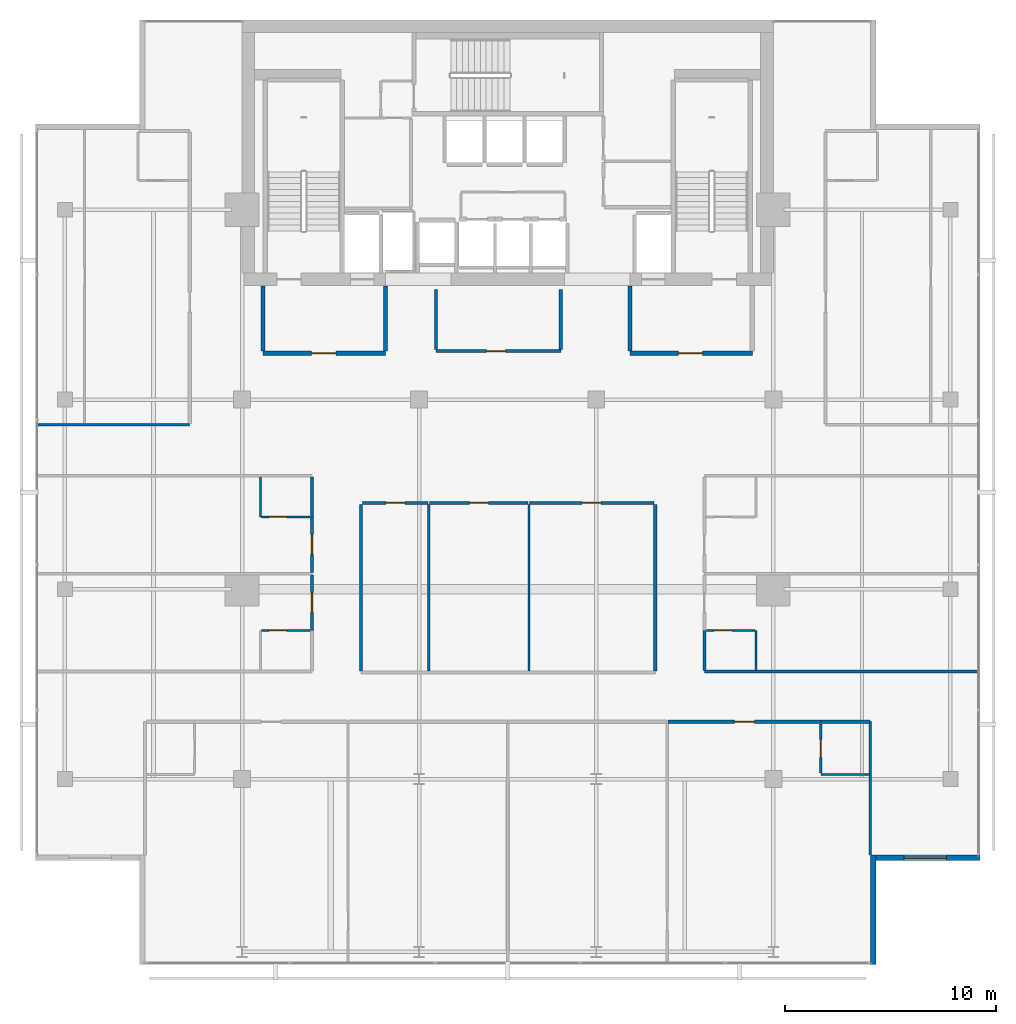
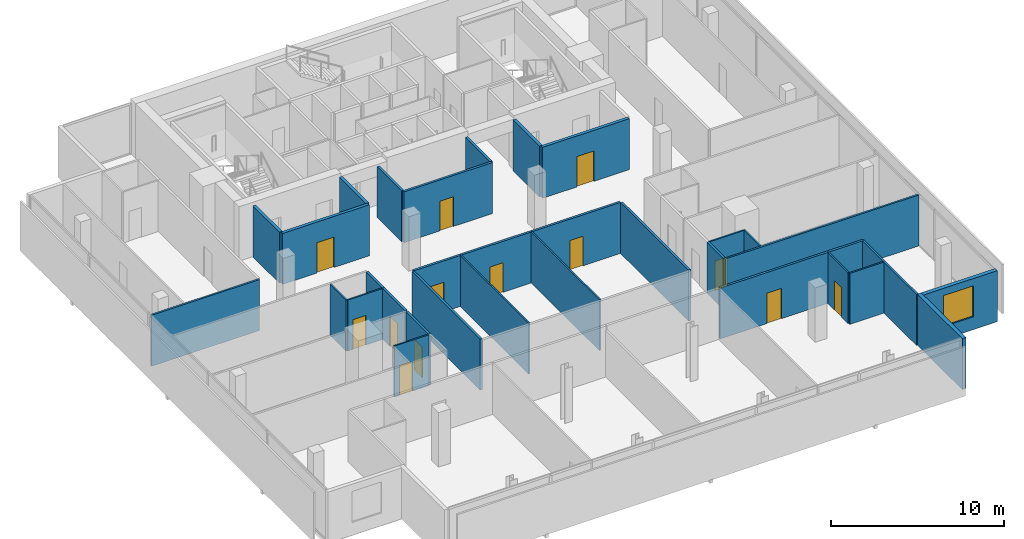
# One storey, part 20 of 25: 33 walls, 13 doors, 1 window, 14 openings.
"""IFC4 building model written with IfcOpenShell, lengths in metres."""

from ifc_helpers import new_model, si_unit, direction, frame, frame_2d, origin, place, context, subcontext, project, spatial, rectangle, extrude, material, layer, layer_set, type_object, element, fill, save


model = new_model("IFC4")

# Units and contexts
model_context = context("Model", 3, precision=1e-05, world=origin(), true_north=direction((0.0, 1.0)))
body_context = subcontext(model_context, "Body", "Model", "MODEL_VIEW")
ifc_project = project(units=[si_unit("LENGTHUNIT", "METRE"), si_unit("AREAUNIT", "SQUARE_METRE"), si_unit("VOLUMEUNIT", "CUBIC_METRE"), si_unit("PLANEANGLEUNIT", "RADIAN"), si_unit("MASSUNIT", "GRAM", prefix="KILO")], contexts=[model_context])

# Site, building, storey
site_placement = place(None, origin())
site = spatial("IfcSite", under=ifc_project, at=site_placement, CompositionType="ELEMENT")
building_placement = place(site_placement, origin())
building = spatial("IfcBuilding", under=site, at=building_placement, Name="Maruvema Waterfront Hotel and Observation Tower", CompositionType="ELEMENT")
storey_placement = place(building_placement, frame((0.0, 0.0, 281.75)))
storey = spatial("IfcBuildingStorey", under=building, at=storey_placement, Name="L69", CompositionType="ELEMENT", Elevation=281.75)

# Wall, opening, door
ifc_material_1 = material(Name="Twin-stud acoustic gypsum drywall", Category="gypsum")
ifc_layer_1 = layer(ifc_material_1, 0.14990234375, Name="Acoustic Corridor and Suite Demising Wall 150 mm")
ifc_layer_set_1 = layer_set([ifc_layer_1], Name="Twin-stud acoustic gypsum drywall")
wall_type_1 = type_object("IfcWallType", Name="Acoustic Corridor and Suite Demising Wall 150 mm", PredefinedType="PARTITIONING", material=ifc_layer_set_1)
wall_1_placement = place(storey_placement, frame((34.39990234375, 38.300048828125, 0.0), z_axis=(0.0, 0.0, 1.0), x_axis=(1.0, 0.0, 0.0)))
wall_1 = element("IfcWall", 1, at=wall_1_placement, inside=storey, type_object=wall_type_1, Name="L69 Core Apron K0 South 022", PredefinedType="PARTITIONING", context=body_context, shape_type="SweptSolid", body=[
    extrude(rectangle(XDim=5.920166015625, YDim=0.14990234375, at=frame_2d((2.9599609375, 0.0))), origin(), (0.0, 0.0, 1.0), 3.610107421875),
])
opening_1_placement = place(wall_1_placement, frame((2.39990234375, 0.0, 0.0)))
opening_1 = element("IfcOpeningElement", 2, at=opening_1_placement, cuts=wall_1, Name="Opening DR-090", PredefinedType="OPENING", context=body_context, shape_type="SweptSolid", body=[
    extrude(rectangle(XDim=0.89990234375, YDim=2.10009765625, at=frame_2d((0.449951171875, 1.050048828125))), frame((0.0, 0.0849609375, 0.0), z_axis=(0.0, -1.0, 0.0), x_axis=(1.0, 0.0, 0.0)), (0.0, 0.0, 1.0), 0.169921875),
])
ifc_material_2 = material(Name="Solid-core lacquered timber leaf", Category="wood")
door_type_1 = type_object("IfcDoorType", Name="Accessible Toilet and Room Door 900x2100 mm", OperationType="NOTDEFINED", PredefinedType="DOOR", material=ifc_material_2)
door_1_placement = place(opening_1_placement, frame((0.89990234375, 0.0, 0.0), z_axis=(0.0, 0.0, 1.0), x_axis=(-1.0, 0.0, 0.0)))
door_1 = element("IfcDoor", 3, at=door_1_placement, inside=storey, type_object=door_type_1, Name="L69 Core Valet Room Door", OperationType="SINGLE_SWING_RIGHT", OverallHeight=2.10009765625, OverallWidth=0.89990234375, PredefinedType="DOOR", context=body_context, shape_type="SweptSolid", body=[
    extrude(rectangle(XDim=0.89990234375, YDim=2.10009765625, at=frame_2d((0.449951171875, 1.050048828125))), frame((0.0, 0.02490234375, 0.0), z_axis=(0.0, -1.0, 0.0), x_axis=(1.0, 0.0, 0.0)), (0.0, 0.0, 1.0), 0.050048828125),
])
fill(opening_1, door_1)

# Walls
for number, where, z_axis, x_axis, name in (
    (4, (34.39990234375, 38.3798828125, 0.0), (0.0, 0.0, 1.0), (0.0, 1.0, 0.0), "L69 Core Apron K0 West 023"),
    (5, (40.320068359375, 38.3798828125, 0.0), (0.0, 0.0, 1.0), (0.0, 1.0, 0.0), "L69 Core Apron K0 East 024"),
):
    element("IfcWall", number, at=place(storey_placement, frame(where, z_axis=z_axis, x_axis=x_axis)), inside=storey, type_object=wall_type_1, Name=name, PredefinedType="PARTITIONING", context=body_context, shape_type="SweptSolid", body=[
        extrude(rectangle(XDim=2.840087890625, YDim=0.14990234375, at=frame_2d((1.419921875, 0.0))), origin(), (0.0, 0.0, 1.0), 3.610107421875),
    ])
for number, where, z_axis, x_axis, name in (
    (6, (30.85009765625, 23.1298828125, 0.0), (0.0, 0.0, 1.0), (0.0, 1.0, 0.0), "L69 L69-Z3M West Wall 026"),
    (7, (44.800048828125, 23.1298828125, 0.0), (0.0, 0.0, 1.0), (0.0, 1.0, 0.0), "L69 L69-Z3M East Wall 027"),
):
    element("IfcWall", number, at=place(storey_placement, frame(where, z_axis=z_axis, x_axis=x_axis)), inside=storey, type_object=wall_type_1, Name=name, PredefinedType="PARTITIONING", context=body_context, shape_type="SweptSolid", body=[
        extrude(rectangle(XDim=7.89013671875, YDim=0.14990234375, at=frame_2d((3.945068359375, 0.0))), origin(), (0.0, 0.0, 1.0), 3.610107421875),
    ])

# Wall, opening, door
wall_2_placement = place(storey_placement, frame((30.909912109375, 31.10009765625, 0.0), z_axis=(0.0, 0.0, 1.0), x_axis=(1.0, 0.0, 0.0)))
wall_2 = element("IfcWall", 8, at=wall_2_placement, inside=storey, type_object=wall_type_1, Name="L69 L69-Z3M Front 1 028", PredefinedType="PARTITIONING", context=body_context, shape_type="SweptSolid", body=[
    extrude(rectangle(XDim=3.11865234375, YDim=0.14990234375, at=frame_2d((1.559326171875, 0.0))), origin(), (0.0, 0.0, 1.0), 3.610107421875),
])
opening_2_placement = place(wall_2_placement, frame((1.109375, 0.0, 0.0)))
opening_2 = element("IfcOpeningElement", 9, at=opening_2_placement, cuts=wall_2, Name="Opening DR-090", PredefinedType="OPENING", context=body_context, shape_type="SweptSolid", body=[
    extrude(rectangle(XDim=0.89990234375, YDim=2.10009765625, at=frame_2d((0.449951171875, 1.050048828125))), frame((0.0, 0.0849609375, 0.0), z_axis=(0.0, -1.0, 0.0), x_axis=(1.0, 0.0, 0.0)), (0.0, 0.0, 1.0), 0.169921875),
])
door_2_placement = place(opening_2_placement, origin())
door_2 = element("IfcDoor", 10, at=door_2_placement, inside=storey, type_object=door_type_1, Name="L69 Private Chef Kitchen 1 Door", OperationType="SINGLE_SWING_LEFT", OverallHeight=2.10009765625, OverallWidth=0.89990234375, PredefinedType="DOOR", context=body_context, shape_type="SweptSolid", body=[
    extrude(rectangle(XDim=0.89990234375, YDim=2.10009765625, at=frame_2d((0.449951171875, 1.050048828125))), frame((0.0, 0.02490234375, 0.0), z_axis=(0.0, -1.0, 0.0), x_axis=(1.0, 0.0, 0.0)), (0.0, 0.0, 1.0), 0.050048828125),
])
fill(opening_2, door_2)

wall_3_placement = place(storey_placement, frame((34.08837890625, 31.10009765625, 0.0), z_axis=(0.0, 0.0, 1.0), x_axis=(1.0, 0.0, 0.0)))
wall_3 = element("IfcWall", 11, at=wall_3_placement, inside=storey, type_object=wall_type_1, Name="L69 L69-Z3M Front 2 030", PredefinedType="PARTITIONING", context=body_context, shape_type="SweptSolid", body=[
    extrude(rectangle(XDim=4.68310546875, YDim=0.14990234375, at=frame_2d((2.341552734375, 0.0))), origin(), (0.0, 0.0, 1.0), 3.610107421875),
])
opening_3_placement = place(wall_3_placement, frame((1.8916015625, 0.0, 0.0)))
opening_3 = element("IfcOpeningElement", 12, at=opening_3_placement, cuts=wall_3, Name="Opening DR-090", PredefinedType="OPENING", context=body_context, shape_type="SweptSolid", body=[
    extrude(rectangle(XDim=0.89990234375, YDim=2.10009765625, at=frame_2d((0.449951171875, 1.050048828125))), frame((0.0, 0.0849609375, 0.0), z_axis=(0.0, -1.0, 0.0), x_axis=(1.0, 0.0, 0.0)), (0.0, 0.0, 1.0), 0.169921875),
])
door_3_placement = place(opening_3_placement, origin())
door_3 = element("IfcDoor", 13, at=door_3_placement, inside=storey, type_object=door_type_1, Name="L69 Private Chef Kitchen 2 Door", OperationType="SINGLE_SWING_RIGHT", OverallHeight=2.10009765625, OverallWidth=0.89990234375, PredefinedType="DOOR", context=body_context, shape_type="SweptSolid", body=[
    extrude(rectangle(XDim=0.89990234375, YDim=2.10009765625, at=frame_2d((0.449951171875, 1.050048828125))), frame((0.0, 0.02490234375, 0.0), z_axis=(0.0, -1.0, 0.0), x_axis=(1.0, 0.0, 0.0)), (0.0, 0.0, 1.0), 0.050048828125),
])
fill(opening_3, door_3)

wall_4_placement = place(storey_placement, frame((38.83154296875, 31.10009765625, 0.0), z_axis=(0.0, 0.0, 1.0), x_axis=(1.0, 0.0, 0.0)))
wall_4 = element("IfcWall", 14, at=wall_4_placement, inside=storey, type_object=wall_type_1, Name="L69 L69-Z3M Front 3 032", PredefinedType="PARTITIONING", context=body_context, shape_type="SweptSolid", body=[
    extrude(rectangle(XDim=5.908447265625, YDim=0.14990234375, at=frame_2d((2.9541015625, 0.0))), origin(), (0.0, 0.0, 1.0), 3.610107421875),
])
opening_4_placement = place(wall_4_placement, frame((2.50439453125, 0.0, 0.0)))
opening_4 = element("IfcOpeningElement", 15, at=opening_4_placement, cuts=wall_4, Name="Opening DR-090", PredefinedType="OPENING", context=body_context, shape_type="SweptSolid", body=[
    extrude(rectangle(XDim=0.89990234375, YDim=2.10009765625, at=frame_2d((0.449951171875, 1.050048828125))), frame((0.0, 0.0849609375, 0.0), z_axis=(0.0, -1.0, 0.0), x_axis=(1.0, 0.0, 0.0)), (0.0, 0.0, 1.0), 0.169921875),
])
door_4_placement = place(opening_4_placement, origin())
door_4 = element("IfcDoor", 16, at=door_4_placement, inside=storey, type_object=door_type_1, Name="L69 Private Chef Kitchen 3 Door", OperationType="SINGLE_SWING_LEFT", OverallHeight=2.10009765625, OverallWidth=0.89990234375, PredefinedType="DOOR", context=body_context, shape_type="SweptSolid", body=[
    extrude(rectangle(XDim=0.89990234375, YDim=2.10009765625, at=frame_2d((0.449951171875, 1.050048828125))), frame((0.0, 0.02490234375, 0.0), z_axis=(0.0, -1.0, 0.0), x_axis=(1.0, 0.0, 0.0)), (0.0, 0.0, 1.0), 0.050048828125),
])
fill(opening_4, door_4)

# Wall
wall_5_placement = place(storey_placement, frame((52.64990234375, 20.719970703125, 0.0), z_axis=(0.0, 0.0, 1.0), x_axis=(1.0, 0.0, 0.0)))
element("IfcWall", 17, at=wall_5_placement, inside=storey, type_object=wall_type_1, Name="L69 Bath L69-S2 Back Wall 042", PredefinedType="PARTITIONING", context=body_context, shape_type="SweptSolid", body=[
    extrude(rectangle(XDim=2.330078125, YDim=0.14990234375, at=frame_2d((1.1650390625, 0.0))), origin(), (0.0, 0.0, 1.0), 3.610107421875),
])

# Wall, opening, door
wall_6_placement = place(storey_placement, frame((45.407958984375, 20.719970703125, 0.0), z_axis=(0.0, 0.0, 1.0), x_axis=(1.0, 0.0, 0.0)))
wall_6 = element("IfcWall", 18, at=wall_6_placement, inside=storey, type_object=wall_type_1, Name="L69 Unit L69-S2 Corridor Wall 046", PredefinedType="PARTITIONING", context=body_context, shape_type="SweptSolid", body=[
    extrude(rectangle(XDim=7.241943359375, YDim=0.14990234375, at=frame_2d((3.62109375, 0.0))), origin(), (0.0, 0.0, 1.0), 3.610107421875),
])
opening_5_placement = place(wall_6_placement, frame((3.14599609375, 0.0, 0.0)))
opening_5 = element("IfcOpeningElement", 19, at=opening_5_placement, cuts=wall_6, Name="Opening DR-095", PredefinedType="OPENING", context=body_context, shape_type="SweptSolid", body=[
    extrude(rectangle(XDim=0.949951171875, YDim=2.14990234375, at=frame_2d((0.47509765625, 1.074951171875))), frame((0.0, 0.0849609375, 0.0), z_axis=(0.0, -1.0, 0.0), x_axis=(1.0, 0.0, 0.0)), (0.0, 0.0, 1.0), 0.169921875),
])
ifc_material_3 = material(Name="Acoustic solid-core hardwood timber leaf", Category="wood")
door_type_2 = type_object("IfcDoorType", Name="Guestroom Entrance Fire Door 950x2150 mm", OperationType="NOTDEFINED", PredefinedType="DOOR", material=ifc_material_3)
door_5_placement = place(opening_5_placement, frame((0.949951171875, 0.0, 0.0), z_axis=(0.0, 0.0, 1.0), x_axis=(-1.0, 0.0, 0.0)))
door_5 = element("IfcDoor", 20, at=door_5_placement, inside=storey, type_object=door_type_2, Name="L69 Unit L69-S2 Entrance Door", OperationType="SINGLE_SWING_RIGHT", OverallHeight=2.14990234375, OverallWidth=0.949951171875, PredefinedType="DOOR", context=body_context, shape_type="SweptSolid", body=[
    extrude(rectangle(XDim=0.949951171875, YDim=2.14990234375, at=frame_2d((0.47509765625, 1.074951171875))), frame((0.0, 0.02490234375, 0.0), z_axis=(0.0, -1.0, 0.0), x_axis=(1.0, 0.0, 0.0)), (0.0, 0.0, 1.0), 0.050048828125),
])
fill(opening_5, door_5)

wall_7_placement = place(storey_placement, frame((28.52001953125, 25.050048828125, 0.0), z_axis=(0.0, 0.0, 1.0), x_axis=(0.0, 1.0, 0.0)))
wall_7 = element("IfcWall", 21, at=wall_7_placement, inside=storey, type_object=wall_type_1, Name="L69 Room L69-W1 Corridor Wall 053", PredefinedType="PARTITIONING", context=body_context, shape_type="SweptSolid", body=[
    extrude(rectangle(XDim=2.6298828125, YDim=0.14990234375, at=frame_2d((1.31494140625, 0.0))), origin(), (0.0, 0.0, 1.0), 3.610107421875),
])
opening_6_placement = place(wall_7_placement, frame((0.840087890625, 0.0, 0.0)))
opening_6 = element("IfcOpeningElement", 22, at=opening_6_placement, cuts=wall_7, Name="Opening DR-095", PredefinedType="OPENING", context=body_context, shape_type="SweptSolid", body=[
    extrude(rectangle(XDim=0.949951171875, YDim=2.14990234375, at=frame_2d((0.47509765625, 1.074951171875))), frame((0.0, 0.0849609375, 0.0), z_axis=(0.0, -1.0, 0.0), x_axis=(1.0, 0.0, 0.0)), (0.0, 0.0, 1.0), 0.169921875),
])
door_6_placement = place(opening_6_placement, origin())
door_6 = element("IfcDoor", 23, at=door_6_placement, inside=storey, type_object=door_type_2, Name="L69 Room L69-W1 Entrance Door", OperationType="SINGLE_SWING_LEFT", OverallHeight=2.14990234375, OverallWidth=0.949951171875, PredefinedType="DOOR", context=body_context, shape_type="SweptSolid", body=[
    extrude(rectangle(XDim=0.949951171875, YDim=2.14990234375, at=frame_2d((0.47509765625, 1.074951171875))), frame((0.0, 0.02490234375, 0.0), z_axis=(0.0, -1.0, 0.0), x_axis=(1.0, 0.0, 0.0)), (0.0, 0.0, 1.0), 0.050048828125),
])
fill(opening_6, door_6)

# Wall
wall_8_placement = place(storey_placement, frame((47.1298828125, 23.159912109375, 0.0), z_axis=(0.0, 0.0, 1.0), x_axis=(0.0, 1.0, 0.0)))
element("IfcWall", 24, at=wall_8_placement, inside=storey, type_object=wall_type_1, Name="L69 Bath L69-E1 Wall 056", PredefinedType="PARTITIONING", context=body_context, shape_type="SweptSolid", body=[
    extrude(rectangle(XDim=1.89013671875, YDim=0.14990234375, at=frame_2d((0.945068359375, 0.0))), origin(), (0.0, 0.0, 1.0), 3.610107421875),
])

# Wall, opening, door
wall_9_placement = place(storey_placement, frame((28.52001953125, 27.800048828125, 0.0), z_axis=(0.0, 0.0, 1.0), x_axis=(0.0, 1.0, 0.0)))
wall_9 = element("IfcWall", 25, at=wall_9_placement, inside=storey, type_object=wall_type_1, Name="L69 Room L69-W2 Corridor Wall 062", PredefinedType="PARTITIONING", context=body_context, shape_type="SweptSolid", body=[
    extrude(rectangle(XDim=2.6298828125, YDim=0.14990234375, at=frame_2d((1.31494140625, 0.0))), origin(), (0.0, 0.0, 1.0), 3.610107421875),
])
opening_7_placement = place(wall_9_placement, frame((0.840087890625, 0.0, 0.0)))
opening_7 = element("IfcOpeningElement", 26, at=opening_7_placement, cuts=wall_9, Name="Opening DR-095", PredefinedType="OPENING", context=body_context, shape_type="SweptSolid", body=[
    extrude(rectangle(XDim=0.949951171875, YDim=2.14990234375, at=frame_2d((0.47509765625, 1.074951171875))), frame((0.0, 0.0849609375, 0.0), z_axis=(0.0, -1.0, 0.0), x_axis=(1.0, 0.0, 0.0)), (0.0, 0.0, 1.0), 0.169921875),
])
door_7_placement = place(opening_7_placement, origin())
door_7 = element("IfcDoor", 27, at=door_7_placement, inside=storey, type_object=door_type_2, Name="L69 Room L69-W2 Entrance Door", OperationType="SINGLE_SWING_LEFT", OverallHeight=2.14990234375, OverallWidth=0.949951171875, PredefinedType="DOOR", context=body_context, shape_type="SweptSolid", body=[
    extrude(rectangle(XDim=0.949951171875, YDim=2.14990234375, at=frame_2d((0.47509765625, 1.074951171875))), frame((0.0, 0.02490234375, 0.0), z_axis=(0.0, -1.0, 0.0), x_axis=(1.0, 0.0, 0.0)), (0.0, 0.0, 1.0), 0.050048828125),
])
fill(opening_7, door_7)

# Walls
wall_10_placement = place(storey_placement, frame((28.52001953125, 30.429931640625, 0.0), z_axis=(0.0, 0.0, 1.0), x_axis=(0.0, 1.0, 0.0)))
element("IfcWall", 28, at=wall_10_placement, inside=storey, type_object=wall_type_1, Name="L69 Bath L69-W2 Wall 063", PredefinedType="PARTITIONING", context=body_context, shape_type="SweptSolid", body=[
    extrude(rectangle(XDim=1.89013671875, YDim=0.14990234375, at=frame_2d((0.945068359375, 0.0))), origin(), (0.0, 0.0, 1.0), 3.610107421875),
])
ifc_material_4 = material(Name="Moisture-resistant cement-board drywall", Category="gypsum")
ifc_layer_2 = layer(ifc_material_4, 0.10009765625, Name="En-Suite Moisture-Resistant Partition 100 mm")
ifc_layer_set_2 = layer_set([ifc_layer_2], Name="Moisture-resistant cement-board drywall")
wall_type_2 = type_object("IfcWallType", Name="En-Suite Moisture-Resistant Partition 100 mm", PredefinedType="PARTITIONING", material=ifc_layer_set_2)
for number, where, z_axis, x_axis, name in (
    (29, (34.05859375, 23.1298828125, 0.0), (0.0, 0.0, 1.0), (0.0, 1.0, 0.0), "L69 L69-Z3M Split 1 029"),
    (30, (38.801513671875, 23.1298828125, 0.0), (0.0, 0.0, 1.0), (0.0, 1.0, 0.0), "L69 L69-Z3M Split 2 031"),
):
    element("IfcWall", number, at=place(storey_placement, frame(where, z_axis=z_axis, x_axis=x_axis)), inside=storey, type_object=wall_type_2, Name=name, PredefinedType="PARTITIONING", context=body_context, shape_type="SweptSolid", body=[
        extrude(rectangle(XDim=7.89013671875, YDim=0.10009765625, at=frame_2d((3.945068359375, 0.0))), origin(), (0.0, 0.0, 1.0), 3.610107421875),
    ])
wall_11_placement = place(storey_placement, frame((52.64990234375, 18.219970703125, 0.0), z_axis=(0.0, 0.0, 1.0), x_axis=(1.0, 0.0, 0.0)))
element("IfcWall", 31, at=wall_11_placement, inside=storey, type_object=wall_type_2, Name="L69 En-Suite L69-S2 South 043", PredefinedType="PARTITIONING", context=body_context, shape_type="SweptSolid", body=[
    extrude(rectangle(XDim=2.31005859375, YDim=0.10009765625, at=frame_2d((1.155029296875, 0.0))), origin(), (0.0, 0.0, 1.0), 3.610107421875),
])

# Wall, opening, door
wall_12_placement = place(storey_placement, frame((52.64990234375, 18.280029296875, 0.0), z_axis=(0.0, 0.0, 1.0), x_axis=(0.0, 1.0, 0.0)))
wall_12 = element("IfcWall", 32, at=wall_12_placement, inside=storey, type_object=wall_type_2, Name="L69 En-Suite L69-S2 West 044", PredefinedType="PARTITIONING", context=body_context, shape_type="SweptSolid", body=[
    extrude(rectangle(XDim=2.340087890625, YDim=0.10009765625, at=frame_2d((1.169921875, 0.0))), origin(), (0.0, 0.0, 1.0), 3.610107421875),
])
opening_8_placement = place(wall_12_placement, frame((0.7451171875, 0.0, 0.0)))
opening_8 = element("IfcOpeningElement", 33, at=opening_8_placement, cuts=wall_12, Name="Opening DR-085", PredefinedType="OPENING", context=body_context, shape_type="SweptSolid", body=[
    extrude(rectangle(XDim=0.85009765625, YDim=2.10009765625, at=frame_2d((0.425048828125, 1.050048828125))), frame((0.0, 0.06005859375, 0.0), z_axis=(0.0, -1.0, 0.0), x_axis=(1.0, 0.0, 0.0)), (0.0, 0.0, 1.0), 0.1201171875),
])
ifc_material_5 = material(Name="Moisture-resistant solid timber leaf", Category="wood")
door_type_3 = type_object("IfcDoorType", Name="En-Suite Bathroom Door 850x2100 mm", OperationType="NOTDEFINED", PredefinedType="DOOR", material=ifc_material_5)
door_8_placement = place(opening_8_placement, origin())
door_8 = element("IfcDoor", 34, at=door_8_placement, inside=storey, type_object=door_type_3, Name="L69 En-Suite L69-S2 Door", OperationType="SINGLE_SWING_LEFT", OverallHeight=2.10009765625, OverallWidth=0.85009765625, PredefinedType="DOOR", context=body_context, shape_type="SweptSolid", body=[
    extrude(rectangle(XDim=0.85009765625, YDim=2.10009765625, at=frame_2d((0.425048828125, 1.050048828125))), frame((0.0, 0.02490234375, 0.0), z_axis=(0.0, -1.0, 0.0), x_axis=(1.0, 0.0, 0.0)), (0.0, 0.0, 1.0), 0.050048828125),
])
fill(opening_8, door_8)

wall_13_placement = place(storey_placement, frame((26.1201171875, 25.050048828125, 0.0), z_axis=(0.0, 0.0, 1.0), x_axis=(1.0, 0.0, 0.0)))
wall_13 = element("IfcWall", 35, at=wall_13_placement, inside=storey, type_object=wall_type_2, Name="L69 En-Suite L69-W1 N 055", PredefinedType="PARTITIONING", context=body_context, shape_type="SweptSolid", body=[
    extrude(rectangle(XDim=2.2998046875, YDim=0.10009765625, at=frame_2d((1.14990234375, 0.0))), origin(), (0.0, 0.0, 1.0), 3.610107421875),
])
opening_9_placement = place(wall_13_placement, frame((0.35009765625, 0.0, 0.0)))
opening_9 = element("IfcOpeningElement", 36, at=opening_9_placement, cuts=wall_13, Name="Opening DR-085", PredefinedType="OPENING", context=body_context, shape_type="SweptSolid", body=[
    extrude(rectangle(XDim=0.85009765625, YDim=2.10009765625, at=frame_2d((0.425048828125, 1.050048828125))), frame((0.0, 0.06005859375, 0.0), z_axis=(0.0, -1.0, 0.0), x_axis=(1.0, 0.0, 0.0)), (0.0, 0.0, 1.0), 0.1201171875),
])
door_9_placement = place(opening_9_placement, origin())
door_9 = element("IfcDoor", 37, at=door_9_placement, inside=storey, type_object=door_type_3, Name="L69 En-Suite L69-W1 Door", OperationType="SINGLE_SWING_RIGHT", OverallHeight=2.10009765625, OverallWidth=0.85009765625, PredefinedType="DOOR", context=body_context, shape_type="SweptSolid", body=[
    extrude(rectangle(XDim=0.85009765625, YDim=2.10009765625, at=frame_2d((0.425048828125, 1.050048828125))), frame((0.0, 0.02490234375, 0.0), z_axis=(0.0, -1.0, 0.0), x_axis=(1.0, 0.0, 0.0)), (0.0, 0.0, 1.0), 0.050048828125),
])
fill(opening_9, door_9)

# Wall
wall_14_placement = place(storey_placement, frame((49.580078125, 23.159912109375, 0.0), z_axis=(0.0, 0.0, 1.0), x_axis=(0.0, 1.0, 0.0)))
element("IfcWall", 38, at=wall_14_placement, inside=storey, type_object=wall_type_2, Name="L69 En-Suite L69-E1 E 058", PredefinedType="PARTITIONING", context=body_context, shape_type="SweptSolid", body=[
    extrude(rectangle(XDim=1.89013671875, YDim=0.10009765625, at=frame_2d((0.945068359375, 0.0))), origin(), (0.0, 0.0, 1.0), 3.610107421875),
])

# Wall, opening, door
wall_15_placement = place(storey_placement, frame((47.22998046875, 25.050048828125, 0.0), z_axis=(0.0, 0.0, 1.0), x_axis=(1.0, 0.0, 0.0)))
wall_15 = element("IfcWall", 39, at=wall_15_placement, inside=storey, type_object=wall_type_2, Name="L69 En-Suite L69-E1 N 059", PredefinedType="PARTITIONING", context=body_context, shape_type="SweptSolid", body=[
    extrude(rectangle(XDim=2.300048828125, YDim=0.10009765625, at=frame_2d((1.14990234375, 0.0))), origin(), (0.0, 0.0, 1.0), 3.610107421875),
])
opening_10_placement = place(wall_15_placement, frame((0.35009765625, 0.0, 0.0)))
opening_10 = element("IfcOpeningElement", 40, at=opening_10_placement, cuts=wall_15, Name="Opening DR-085", PredefinedType="OPENING", context=body_context, shape_type="SweptSolid", body=[
    extrude(rectangle(XDim=0.85009765625, YDim=2.10009765625, at=frame_2d((0.425048828125, 1.050048828125))), frame((0.0, 0.06005859375, 0.0), z_axis=(0.0, -1.0, 0.0), x_axis=(1.0, 0.0, 0.0)), (0.0, 0.0, 1.0), 0.1201171875),
])
door_10_placement = place(opening_10_placement, origin())
door_10 = element("IfcDoor", 41, at=door_10_placement, inside=storey, type_object=door_type_3, Name="L69 En-Suite L69-E1 Door", OperationType="SINGLE_SWING_RIGHT", OverallHeight=2.10009765625, OverallWidth=0.85009765625, PredefinedType="DOOR", context=body_context, shape_type="SweptSolid", body=[
    extrude(rectangle(XDim=0.85009765625, YDim=2.10009765625, at=frame_2d((0.425048828125, 1.050048828125))), frame((0.0, 0.02490234375, 0.0), z_axis=(0.0, -1.0, 0.0), x_axis=(1.0, 0.0, 0.0)), (0.0, 0.0, 1.0), 0.050048828125),
])
fill(opening_10, door_10)

# Wall
wall_16_placement = place(storey_placement, frame((26.070068359375, 30.429931640625, 0.0), z_axis=(0.0, 0.0, 1.0), x_axis=(0.0, 1.0, 0.0)))
element("IfcWall", 42, at=wall_16_placement, inside=storey, type_object=wall_type_2, Name="L69 En-Suite L69-W2 W 064", PredefinedType="PARTITIONING", context=body_context, shape_type="SweptSolid", body=[
    extrude(rectangle(XDim=1.89013671875, YDim=0.10009765625, at=frame_2d((0.945068359375, 0.0))), origin(), (0.0, 0.0, 1.0), 3.610107421875),
])

# Wall, opening, door
wall_17_placement = place(storey_placement, frame((26.1201171875, 30.429931640625, 0.0), z_axis=(0.0, 0.0, 1.0), x_axis=(1.0, 0.0, 0.0)))
wall_17 = element("IfcWall", 43, at=wall_17_placement, inside=storey, type_object=wall_type_2, Name="L69 En-Suite L69-W2 S 065", PredefinedType="PARTITIONING", context=body_context, shape_type="SweptSolid", body=[
    extrude(rectangle(XDim=2.2998046875, YDim=0.10009765625, at=frame_2d((1.14990234375, 0.0))), origin(), (0.0, 0.0, 1.0), 3.610107421875),
])
opening_11_placement = place(wall_17_placement, frame((0.35009765625, 0.0, 0.0)))
opening_11 = element("IfcOpeningElement", 44, at=opening_11_placement, cuts=wall_17, Name="Opening DR-085", PredefinedType="OPENING", context=body_context, shape_type="SweptSolid", body=[
    extrude(rectangle(XDim=0.85009765625, YDim=2.10009765625, at=frame_2d((0.425048828125, 1.050048828125))), frame((0.0, 0.06005859375, 0.0), z_axis=(0.0, -1.0, 0.0), x_axis=(1.0, 0.0, 0.0)), (0.0, 0.0, 1.0), 0.1201171875),
])
door_11_placement = place(opening_11_placement, frame((0.85009765625, 0.0, 0.0), z_axis=(0.0, 0.0, 1.0), x_axis=(-1.0, 0.0, 0.0)))
door_11 = element("IfcDoor", 45, at=door_11_placement, inside=storey, type_object=door_type_3, Name="L69 En-Suite L69-W2 Door", OperationType="SINGLE_SWING_RIGHT", OverallHeight=2.10009765625, OverallWidth=0.85009765625, PredefinedType="DOOR", context=body_context, shape_type="SweptSolid", body=[
    extrude(rectangle(XDim=0.85009765625, YDim=2.10009765625, at=frame_2d((0.425048828125, 1.050048828125))), frame((0.0, 0.02490234375, 0.0), z_axis=(0.0, -1.0, 0.0), x_axis=(1.0, 0.0, 0.0)), (0.0, 0.0, 1.0), 0.050048828125),
])
fill(opening_11, door_11)

# Wall
ifc_material_6 = material(Name="Precast concrete C45/55 with honed Pernambuco granite facing", Category="masonry")
ifc_layer_3 = layer(ifc_material_6, 0.260009765625, Name="Exterior Granite Clad Spandrel and Pier Wall 260 mm")
ifc_layer_set_3 = layer_set([ifc_layer_3], Name="Precast concrete C45/55 with honed Pernambuco granite facing")
wall_type_3 = type_object("IfcWallType", Name="Exterior Granite Clad Spandrel and Pier Wall 260 mm", PredefinedType="SOLIDWALL", material=ifc_layer_set_3)
wall_18_placement = place(storey_placement, frame((55.1298828125, 14.39990234375, 0.0), z_axis=(0.0, 0.0, 1.0), x_axis=(0.0, -1.0, 0.0)))
element("IfcWall", 46, at=wall_18_placement, inside=storey, type_object=wall_type_3, Name="L69 Corner Notch Granite Pier Wall SE1", PredefinedType="SOLIDWALL", context=body_context, shape_type="SweptSolid", body=[
    extrude(rectangle(XDim=5.199951171875, YDim=0.260009765625, at=frame_2d((2.60009765625, 0.0))), origin(), (0.0, 0.0, 1.0), 3.610107421875),
])

# Wall, opening, window
wall_19_placement = place(storey_placement, frame((60.199951171875, 14.27001953125, 0.0), z_axis=(0.0, 0.0, 1.0), x_axis=(-1.0, 0.0, 0.0)))
wall_19 = element("IfcWall", 47, at=wall_19_placement, inside=storey, type_object=wall_type_3, Name="L69 Corner Notch Granite Pier Wall SE2", PredefinedType="SOLIDWALL", context=body_context, shape_type="SweptSolid", body=[
    extrude(rectangle(XDim=5.199951171875, YDim=0.260009765625, at=frame_2d((2.60009765625, 0.0))), origin(), (0.0, 0.0, 1.0), 3.610107421875),
])
opening_12_placement = place(wall_19_placement, frame((1.60009765625, 0.0, 0.89990234375)))
opening_12 = element("IfcOpeningElement", 48, at=opening_12_placement, cuts=wall_19, Name="Opening WN-03", PredefinedType="OPENING", context=body_context, shape_type="SweptSolid", body=[
    extrude(rectangle(XDim=2.0, YDim=2.199951171875, at=frame_2d((1.0, 1.10009765625))), frame((0.0, 0.14013671875, 0.0), z_axis=(0.0, -1.0, 0.0), x_axis=(1.0, 0.0, 0.0)), (0.0, 0.0, 1.0), 0.280029296875),
])
ifc_material_7 = material(Name="Anodised bronze aluminium frame with laminated low-E glass", Category="aluminium")
window_type = type_object("IfcWindowType", Name="Sky Suite Panoramic Notch Window 2000x2200 mm", PartitioningType="SINGLE_PANEL", PredefinedType="WINDOW", material=ifc_material_7)
window_placement = place(opening_12_placement, origin())
window = element("IfcWindow", 49, at=window_placement, inside=storey, type_object=window_type, Name="L69 Corner Notch Punched Window SE2", OverallHeight=2.199951171875, OverallWidth=2.0, PartitioningType="SINGLE_PANEL", PredefinedType="WINDOW", context=body_context, shape_type="SweptSolid", body=[
    extrude(rectangle(XDim=2.0, YDim=2.199951171875, at=frame_2d((1.0, 1.10009765625))), frame((0.0, 0.030029296875, 0.0), z_axis=(0.0, -1.0, 0.0), x_axis=(1.0, 0.0, 0.0)), (0.0, 0.0, 1.0), 0.06005859375),
])
fill(opening_12, window)

# Wall, opening, door
ifc_material_8 = material(Name="Autoclaved cellular concrete blockwork", Category="masonry")
ifc_layer_4 = layer(ifc_material_8, 0.199951171875, Name="Fire Compartment Masonry Wall 200 mm")
ifc_layer_set_4 = layer_set([ifc_layer_4], Name="Autoclaved cellular concrete blockwork")
wall_type_4 = type_object("IfcWallType", Name="Fire Compartment Masonry Wall 200 mm", PredefinedType="PARTITIONING", material=ifc_layer_set_4)
wall_20_placement = place(storey_placement, frame((26.199951171875, 38.199951171875, 0.0), z_axis=(0.0, 0.0, 1.0), x_axis=(1.0, 0.0, 0.0)))
wall_20 = element("IfcWall", 50, at=wall_20_placement, inside=storey, type_object=wall_type_4, Name="L69 FFL West South Wall 001", PredefinedType="PARTITIONING", context=body_context, shape_type="SweptSolid", body=[
    extrude(rectangle(XDim=5.800048828125, YDim=0.199951171875, at=frame_2d((2.89990234375, 0.0))), origin(), (0.0, 0.0, 1.0), 3.610107421875),
])
opening_13_placement = place(wall_20_placement, frame((2.300048828125, 0.0, 0.0)))
opening_13 = element("IfcOpeningElement", 51, at=opening_13_placement, cuts=wall_20, Name="Opening FD-115", PredefinedType="OPENING", context=body_context, shape_type="SweptSolid", body=[
    extrude(rectangle(XDim=1.14990234375, YDim=2.14990234375, at=frame_2d((0.574951171875, 1.074951171875))), frame((0.0, 0.10986328125, 0.0), z_axis=(0.0, -1.0, 0.0), x_axis=(1.0, 0.0, 0.0)), (0.0, 0.0, 1.0), 0.219970703125),
])
ifc_material_9 = material(Name="Fire-rated galvanised steel and vision glass", Category="steel")
door_type_4 = type_object("IfcDoorType", Name="Firefighting Lobby Fire Door 1150x2150 mm", OperationType="NOTDEFINED", PredefinedType="DOOR", material=ifc_material_9)
door_12_placement = place(opening_13_placement, frame((1.14990234375, 0.0, 0.0), z_axis=(0.0, 0.0, 1.0), x_axis=(-1.0, 0.0, 0.0)))
door_12 = element("IfcDoor", 52, at=door_12_placement, inside=storey, type_object=door_type_4, Name="L69 Firefighting Lobby West Door", OperationType="SINGLE_SWING_RIGHT", OverallHeight=2.14990234375, OverallWidth=1.14990234375, PredefinedType="DOOR", context=body_context, shape_type="SweptSolid", body=[
    extrude(rectangle(XDim=1.14990234375, YDim=2.14990234375, at=frame_2d((0.574951171875, 1.074951171875))), frame((0.0, 0.02490234375, 0.0), z_axis=(0.0, -1.0, 0.0), x_axis=(1.0, 0.0, 0.0)), (0.0, 0.0, 1.0), 0.050048828125),
])
fill(opening_13, door_12)

# Walls
for number, where, z_axis, x_axis, name in (
    (53, (26.199951171875, 38.31005859375, 0.0), (0.0, 0.0, 1.0), (0.0, 1.0, 0.0), "L69 FFL West West Wall 002"),
    (54, (32.0, 38.31005859375, 0.0), (0.0, 0.0, 1.0), (0.0, 1.0, 0.0), "L69 FFL West East Wall 003"),
):
    element("IfcWall", number, at=place(storey_placement, frame(where, z_axis=z_axis, x_axis=x_axis)), inside=storey, type_object=wall_type_4, Name=name, PredefinedType="PARTITIONING", context=body_context, shape_type="SweptSolid", body=[
        extrude(rectangle(XDim=3.06982421875, YDim=0.199951171875, at=frame_2d((1.534912109375, 0.0))), origin(), (0.0, 0.0, 1.0), 3.610107421875),
    ])

# Wall, opening, door
wall_21_placement = place(storey_placement, frame((43.60009765625, 38.199951171875, 0.0), z_axis=(0.0, 0.0, 1.0), x_axis=(1.0, 0.0, 0.0)))
wall_21 = element("IfcWall", 55, at=wall_21_placement, inside=storey, type_object=wall_type_4, Name="L69 FFL East South Wall 004", PredefinedType="PARTITIONING", context=body_context, shape_type="SweptSolid", body=[
    extrude(rectangle(XDim=5.7998046875, YDim=0.199951171875, at=frame_2d((2.89990234375, 0.0))), origin(), (0.0, 0.0, 1.0), 3.610107421875),
])
opening_14_placement = place(wall_21_placement, frame((2.300048828125, 0.0, 0.0)))
opening_14 = element("IfcOpeningElement", 56, at=opening_14_placement, cuts=wall_21, Name="Opening FD-115", PredefinedType="OPENING", context=body_context, shape_type="SweptSolid", body=[
    extrude(rectangle(XDim=1.14990234375, YDim=2.14990234375, at=frame_2d((0.574951171875, 1.074951171875))), frame((0.0, 0.10986328125, 0.0), z_axis=(0.0, -1.0, 0.0), x_axis=(1.0, 0.0, 0.0)), (0.0, 0.0, 1.0), 0.219970703125),
])
door_13_placement = place(opening_14_placement, frame((1.14990234375, 0.0, 0.0), z_axis=(0.0, 0.0, 1.0), x_axis=(-1.0, 0.0, 0.0)))
door_13 = element("IfcDoor", 57, at=door_13_placement, inside=storey, type_object=door_type_4, Name="L69 Firefighting Lobby East Door", OperationType="SINGLE_SWING_LEFT", OverallHeight=2.14990234375, OverallWidth=1.14990234375, PredefinedType="DOOR", context=body_context, shape_type="SweptSolid", body=[
    extrude(rectangle(XDim=1.14990234375, YDim=2.14990234375, at=frame_2d((0.574951171875, 1.074951171875))), frame((0.0, 0.02490234375, 0.0), z_axis=(0.0, -1.0, 0.0), x_axis=(1.0, 0.0, 0.0)), (0.0, 0.0, 1.0), 0.050048828125),
])
fill(opening_14, door_13)

# Walls
wall_22_placement = place(storey_placement, frame((43.60009765625, 38.31005859375, 0.0), z_axis=(0.0, 0.0, 1.0), x_axis=(0.0, 1.0, 0.0)))
element("IfcWall", 58, at=wall_22_placement, inside=storey, type_object=wall_type_4, Name="L69 FFL East West Wall 005", PredefinedType="PARTITIONING", context=body_context, shape_type="SweptSolid", body=[
    extrude(rectangle(XDim=3.06982421875, YDim=0.199951171875, at=frame_2d((1.534912109375, 0.0))), origin(), (0.0, 0.0, 1.0), 3.610107421875),
])
ifc_material_10 = material(Name="Acoustic gypsum plasterboard drywall", Category="gypsum")
ifc_layer_5 = layer(ifc_material_10, 0.125, Name="Guestroom Acoustic Demising Wall 125 mm")
ifc_layer_set_5 = layer_set([ifc_layer_5], Name="Acoustic gypsum plasterboard drywall")
wall_type_5 = type_object("IfcWallType", Name="Guestroom Acoustic Demising Wall 125 mm", PredefinedType="PARTITIONING", material=ifc_layer_set_5)
wall_23_placement = place(storey_placement, frame((55.0, 14.39990234375, 0.0), z_axis=(0.0, 0.0, 1.0), x_axis=(0.0, 1.0, 0.0)))
element("IfcWall", 59, at=wall_23_placement, inside=storey, type_object=wall_type_5, Name="L69 Z3 S East End 034", PredefinedType="PARTITIONING", context=body_context, shape_type="SweptSolid", body=[
    extrude(rectangle(XDim=6.320068359375, YDim=0.125, at=frame_2d((3.16015625, 0.0))), origin(), (0.0, 0.0, 1.0), 3.610107421875),
])
wall_24_placement = place(storey_placement, frame((47.1298828125, 23.10009765625, 0.0), z_axis=(0.0, 0.0, 1.0), x_axis=(1.0, 0.0, 0.0)))
element("IfcWall", 60, at=wall_24_placement, inside=storey, type_object=wall_type_5, Name="L69 Z3 E Bot End 049", PredefinedType="PARTITIONING", context=body_context, shape_type="SweptSolid", body=[
    extrude(rectangle(XDim=12.97021484375, YDim=0.125, at=frame_2d((6.485107421875, 0.0))), origin(), (0.0, 0.0, 1.0), 3.610107421875),
])
wall_25_placement = place(storey_placement, frame((15.5, 34.800048828125, 0.0), z_axis=(0.0, 0.0, 1.0), x_axis=(1.0, 0.0, 0.0)))
element("IfcWall", 61, at=wall_25_placement, inside=storey, type_object=wall_type_5, Name="L69 Z3 NW Bot End 070", PredefinedType="PARTITIONING", context=body_context, shape_type="SweptSolid", body=[
    extrude(rectangle(XDim=7.219970703125, YDim=0.125, at=frame_2d((3.60986328125, 0.0))), origin(), (0.0, 0.0, 1.0), 3.610107421875),
])

save(model, "model.ifc")
